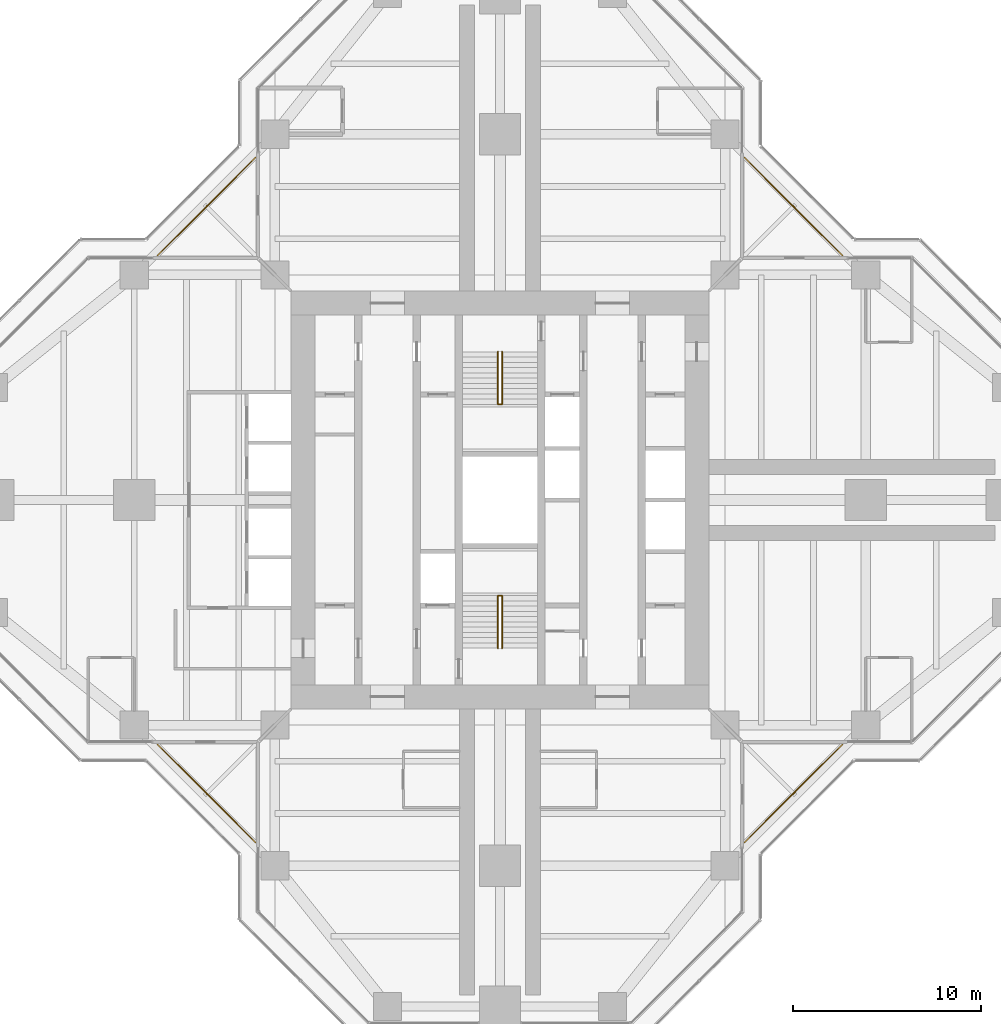
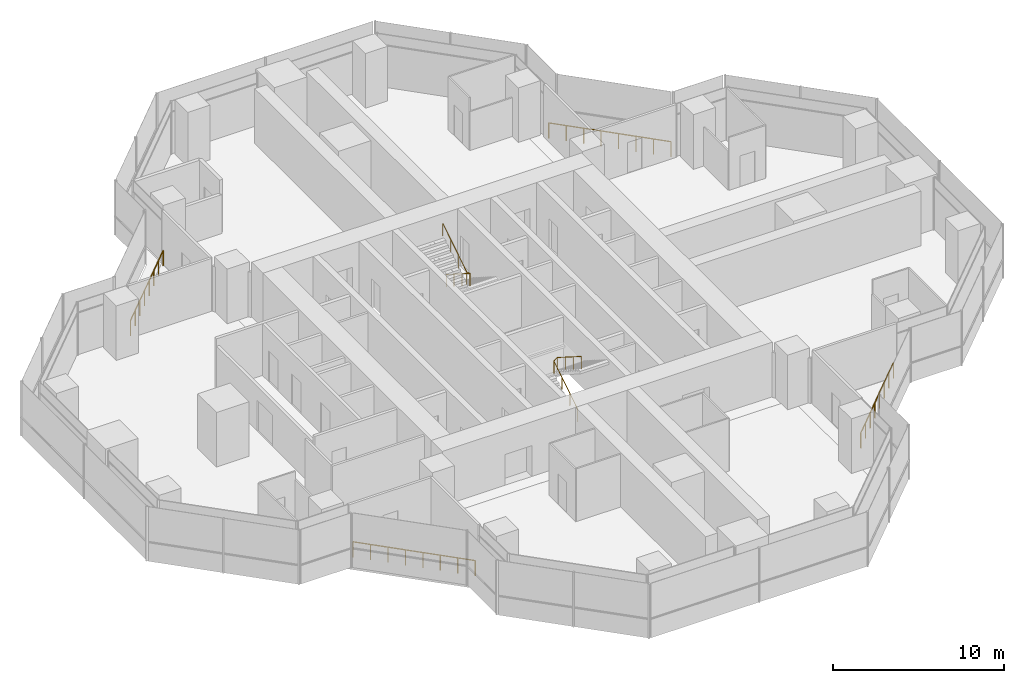
# One storey, part 17 of 17: 6 railings.
"""IFC4 building model written with IfcOpenShell, lengths in metres."""

from ifc_helpers import new_model, si_unit, direction, frame, origin, origin_2d, place, context, subcontext, project, spatial, circle, extrude, material, type_object, element, save


model = new_model("IFC4")

# Units and contexts
model_context = context("Model", 3, precision=1e-05, world=origin(), true_north=direction((0.0, 1.0)))
body_context = subcontext(model_context, "Body", "Model", "MODEL_VIEW")
ifc_project = project(units=[si_unit("LENGTHUNIT", "METRE"), si_unit("AREAUNIT", "SQUARE_METRE"), si_unit("VOLUMEUNIT", "CUBIC_METRE"), si_unit("PLANEANGLEUNIT", "RADIAN"), si_unit("MASSUNIT", "GRAM", prefix="KILO")], contexts=[model_context])

# Site, building, storey
site_placement = place(None, origin())
site = spatial("IfcSite", under=ifc_project, at=site_placement, CompositionType="ELEMENT")
building_placement = place(site_placement, origin())
building = spatial("IfcBuilding", under=site, at=building_placement, Name="Mizan Broadcast Tower", CompositionType="ELEMENT")
storey_placement = place(building_placement, frame((0.0, 0.0, 255.60009765625)))
storey = spatial("IfcBuildingStorey", under=building, at=storey_placement, Name="L60", CompositionType="ELEMENT", Elevation=255.60009765625)

# Railings
ifc_material_1 = material(Name="Stainless steel and glass guard", Category="steel")
railing_type_1 = type_object("IfcRailingType", Name="GUARD 1100", PredefinedType="GUARDRAIL", material=ifc_material_1)
railing_1_placement = place(storey_placement, frame((18.2578125, 13.030029296875, 0.0)))
element("IfcRailing", 1, at=railing_1_placement, inside=storey, type_object=railing_type_1, Name="Winter garden guard L60 E", PredefinedType="GUARDRAIL", context=body_context, shape_type="SweptSolid", body=[
    extrude(circle(Radius=0.02392578125, at=origin_2d()), frame((0.0, 0.0, 1.076171875), z_axis=(-0.707106781187, 0.707106781187, 0.0), x_axis=(-0.707106781187, -0.707106781187, 0.0)), (0.0, 0.0, 1.0), 7.393310546875),
    extrude(circle(Radius=0.02099609375, at=origin_2d()), origin(), (0.0, 0.0, 1.0), 1.052001953125),
    extrude(circle(Radius=0.02099609375, at=origin_2d()), frame((-0.746826171875, 0.746826171875, 0.0)), (0.0, 0.0, 1.0), 1.052001953125),
    extrude(circle(Radius=0.02099609375, at=origin_2d()), frame((-1.49365234375, 1.49365234375, 0.0)), (0.0, 0.0, 1.0), 1.052001953125),
    extrude(circle(Radius=0.02099609375, at=origin_2d()), frame((-2.240478515625, 2.240478515625, 0.0)), (0.0, 0.0, 1.0), 1.052001953125),
    extrude(circle(Radius=0.02099609375, at=origin_2d()), frame((-2.9873046875, 2.9873046875, 0.0)), (0.0, 0.0, 1.0), 1.052001953125),
    extrude(circle(Radius=0.02099609375, at=origin_2d()), frame((-3.734130859375, 3.734130859375, 0.0)), (0.0, 0.0, 1.0), 1.052001953125),
    extrude(circle(Radius=0.02099609375, at=origin_2d()), frame((-4.48095703125, 4.48095703125, 0.0)), (0.0, 0.0, 1.0), 1.052001953125),
    extrude(circle(Radius=0.02099609375, at=origin_2d()), frame((-5.227783203125, 5.227783203125, 0.0)), (0.0, 0.0, 1.0), 1.052001953125),
])
railing_2_placement = place(storey_placement, frame((-13.030029296875, 18.2578125, 0.0)))
element("IfcRailing", 2, at=railing_2_placement, inside=storey, type_object=railing_type_1, Name="Winter garden guard L60 N", PredefinedType="GUARDRAIL", context=body_context, shape_type="SweptSolid", body=[
    extrude(circle(Radius=0.02392578125, at=origin_2d()), frame((0.0, 0.0, 1.076171875), z_axis=(-0.707106781187, -0.707106781187, 0.0), x_axis=(0.707106781187, -0.707106781187, 0.0)), (0.0, 0.0, 1.0), 7.393310546875),
    extrude(circle(Radius=0.02099609375, at=origin_2d()), origin(), (0.0, 0.0, 1.0), 1.052001953125),
    extrude(circle(Radius=0.02099609375, at=origin_2d()), frame((-0.746826171875, -0.746826171875, 0.0)), (0.0, 0.0, 1.0), 1.052001953125),
    extrude(circle(Radius=0.02099609375, at=origin_2d()), frame((-1.49365234375, -1.49365234375, 0.0)), (0.0, 0.0, 1.0), 1.052001953125),
    extrude(circle(Radius=0.02099609375, at=origin_2d()), frame((-2.240478515625, -2.240478515625, 0.0)), (0.0, 0.0, 1.0), 1.052001953125),
    extrude(circle(Radius=0.02099609375, at=origin_2d()), frame((-2.9873046875, -2.9873046875, 0.0)), (0.0, 0.0, 1.0), 1.052001953125),
    extrude(circle(Radius=0.02099609375, at=origin_2d()), frame((-3.734130859375, -3.734130859375, 0.0)), (0.0, 0.0, 1.0), 1.052001953125),
    extrude(circle(Radius=0.02099609375, at=origin_2d()), frame((-4.48095703125, -4.48095703125, 0.0)), (0.0, 0.0, 1.0), 1.052001953125),
    extrude(circle(Radius=0.02099609375, at=origin_2d()), frame((-5.227783203125, -5.227783203125, 0.0)), (0.0, 0.0, 1.0), 1.052001953125),
])
railing_3_placement = place(storey_placement, frame((-18.2578125, -13.030029296875, 0.0)))
element("IfcRailing", 3, at=railing_3_placement, inside=storey, type_object=railing_type_1, Name="Winter garden guard L60 W", PredefinedType="GUARDRAIL", context=body_context, shape_type="SweptSolid", body=[
    extrude(circle(Radius=0.02392578125, at=origin_2d()), frame((0.0, 0.0, 1.076171875), z_axis=(0.707106781187, -0.707106781187, 0.0), x_axis=(0.707106781187, 0.707106781187, 0.0)), (0.0, 0.0, 1.0), 7.393310546875),
    extrude(circle(Radius=0.02099609375, at=origin_2d()), origin(), (0.0, 0.0, 1.0), 1.052001953125),
    extrude(circle(Radius=0.02099609375, at=origin_2d()), frame((0.746826171875, -0.746826171875, 0.0)), (0.0, 0.0, 1.0), 1.052001953125),
    extrude(circle(Radius=0.02099609375, at=origin_2d()), frame((1.49365234375, -1.49365234375, 0.0)), (0.0, 0.0, 1.0), 1.052001953125),
    extrude(circle(Radius=0.02099609375, at=origin_2d()), frame((2.240478515625, -2.240478515625, 0.0)), (0.0, 0.0, 1.0), 1.052001953125),
    extrude(circle(Radius=0.02099609375, at=origin_2d()), frame((2.9873046875, -2.9873046875, 0.0)), (0.0, 0.0, 1.0), 1.052001953125),
    extrude(circle(Radius=0.02099609375, at=origin_2d()), frame((3.734130859375, -3.734130859375, 0.0)), (0.0, 0.0, 1.0), 1.052001953125),
    extrude(circle(Radius=0.02099609375, at=origin_2d()), frame((4.48095703125, -4.48095703125, 0.0)), (0.0, 0.0, 1.0), 1.052001953125),
    extrude(circle(Radius=0.02099609375, at=origin_2d()), frame((5.227783203125, -5.227783203125, 0.0)), (0.0, 0.0, 1.0), 1.052001953125),
])
railing_4_placement = place(storey_placement, frame((13.030029296875, -18.2578125, 0.0)))
element("IfcRailing", 4, at=railing_4_placement, inside=storey, type_object=railing_type_1, Name="Winter garden guard L60 S", PredefinedType="GUARDRAIL", context=body_context, shape_type="SweptSolid", body=[
    extrude(circle(Radius=0.02392578125, at=origin_2d()), frame((0.0, 0.0, 1.076171875), z_axis=(0.707106781187, 0.707106781187, 0.0), x_axis=(-0.707106781187, 0.707106781187, 0.0)), (0.0, 0.0, 1.0), 7.393310546875),
    extrude(circle(Radius=0.02099609375, at=origin_2d()), origin(), (0.0, 0.0, 1.0), 1.052001953125),
    extrude(circle(Radius=0.02099609375, at=origin_2d()), frame((0.746826171875, 0.746826171875, 0.0)), (0.0, 0.0, 1.0), 1.052001953125),
    extrude(circle(Radius=0.02099609375, at=origin_2d()), frame((1.49365234375, 1.49365234375, 0.0)), (0.0, 0.0, 1.0), 1.052001953125),
    extrude(circle(Radius=0.02099609375, at=origin_2d()), frame((2.240478515625, 2.240478515625, 0.0)), (0.0, 0.0, 1.0), 1.052001953125),
    extrude(circle(Radius=0.02099609375, at=origin_2d()), frame((2.9873046875, 2.9873046875, 0.0)), (0.0, 0.0, 1.0), 1.052001953125),
    extrude(circle(Radius=0.02099609375, at=origin_2d()), frame((3.734130859375, 3.734130859375, 0.0)), (0.0, 0.0, 1.0), 1.052001953125),
    extrude(circle(Radius=0.02099609375, at=origin_2d()), frame((4.48095703125, 4.48095703125, 0.0)), (0.0, 0.0, 1.0), 1.052001953125),
    extrude(circle(Radius=0.02099609375, at=origin_2d()), frame((5.227783203125, 5.227783203125, 0.0)), (0.0, 0.0, 1.0), 1.052001953125),
])
ifc_material_2 = material(Name="Stainless steel", Category="steel")
railing_type_2 = type_object("IfcRailingType", Name="HANDRAIL 50", PredefinedType="HANDRAIL", material=ifc_material_2)
railing_5_placement = place(storey_placement, frame((-0.110107421875, -7.89990234375, 0.17724609375)))
element("IfcRailing", 5, at=railing_5_placement, inside=storey, type_object=railing_type_2, Name="Stair A handrail", PredefinedType="HANDRAIL", context=body_context, shape_type="SweptSolid", body=[
    extrude(circle(Radius=0.02392578125, at=origin_2d()), frame((0.0, 0.0, 0.8759765625), z_axis=(0.0, 0.844887892834, 0.53494340686), x_axis=(-1.0, 0.0, 0.0)), (0.0, 0.0, 1.0), 3.313720703125),
    extrude(circle(Radius=0.02392578125, at=origin_2d()), frame((0.0, 2.7998046875, 2.6484375), z_axis=(0.779011685263, 0.0, 0.627009405212), x_axis=(0.0, 1.0, 0.0)), (0.0, 0.0, 1.0), 0.28271484375),
    extrude(circle(Radius=0.02392578125, at=origin_2d()), frame((0.22021484375, 2.7998046875, 2.82568359375), z_axis=(0.0, -0.844887892834, 0.53494340686), x_axis=(1.0, 0.0, 0.0)), (0.0, 0.0, 1.0), 3.313720703125),
    extrude(circle(Radius=0.02099609375, at=origin_2d()), origin(), (0.0, 0.0, 1.0), 0.851806640625),
    extrude(circle(Radius=0.02099609375, at=origin_2d()), frame((0.0, 0.933349609375, 0.5908203125)), (0.0, 0.0, 1.0), 0.851806640625),
    extrude(circle(Radius=0.02099609375, at=origin_2d()), frame((0.0, 1.866455078125, 1.181884765625)), (0.0, 0.0, 1.0), 0.851806640625),
    extrude(circle(Radius=0.02099609375, at=origin_2d()), frame((0.0, 2.7998046875, 1.772705078125)), (0.0, 0.0, 1.0), 0.851806640625),
    extrude(circle(Radius=0.02099609375, at=origin_2d()), frame((0.22021484375, 2.7998046875, 1.949951171875)), (0.0, 0.0, 1.0), 0.851806640625),
    extrude(circle(Radius=0.02099609375, at=origin_2d()), frame((0.22021484375, 1.866455078125, 2.540771484375)), (0.0, 0.0, 1.0), 0.851806640625),
    extrude(circle(Radius=0.02099609375, at=origin_2d()), frame((0.22021484375, 0.933349609375, 3.1318359375)), (0.0, 0.0, 1.0), 0.851806640625),
    extrude(circle(Radius=0.02099609375, at=origin_2d()), frame((0.22021484375, 0.0, 3.72265625)), (0.0, 0.0, 1.0), 0.851806640625),
])
railing_6_placement = place(storey_placement, frame((0.110107421875, 7.89990234375, 0.17724609375)))
element("IfcRailing", 6, at=railing_6_placement, inside=storey, type_object=railing_type_2, Name="Stair B handrail", PredefinedType="HANDRAIL", context=body_context, shape_type="SweptSolid", body=[
    extrude(circle(Radius=0.02392578125, at=origin_2d()), frame((0.0, 0.0, 0.8759765625), z_axis=(0.0, -0.844887892834, 0.53494340686), x_axis=(1.0, 0.0, 0.0)), (0.0, 0.0, 1.0), 3.313720703125),
    extrude(circle(Radius=0.02392578125, at=origin_2d()), frame((0.0, -2.7998046875, 2.6484375), z_axis=(-0.779011685263, 0.0, 0.627009405212), x_axis=(0.0, -1.0, 0.0)), (0.0, 0.0, 1.0), 0.28271484375),
    extrude(circle(Radius=0.02392578125, at=origin_2d()), frame((-0.22021484375, -2.7998046875, 2.82568359375), z_axis=(0.0, 0.844887892834, 0.53494340686), x_axis=(-1.0, 0.0, 0.0)), (0.0, 0.0, 1.0), 3.313720703125),
    extrude(circle(Radius=0.02099609375, at=origin_2d()), origin(), (0.0, 0.0, 1.0), 0.851806640625),
    extrude(circle(Radius=0.02099609375, at=origin_2d()), frame((0.0, -0.933349609375, 0.5908203125)), (0.0, 0.0, 1.0), 0.851806640625),
    extrude(circle(Radius=0.02099609375, at=origin_2d()), frame((0.0, -1.866455078125, 1.181884765625)), (0.0, 0.0, 1.0), 0.851806640625),
    extrude(circle(Radius=0.02099609375, at=origin_2d()), frame((0.0, -2.7998046875, 1.772705078125)), (0.0, 0.0, 1.0), 0.851806640625),
    extrude(circle(Radius=0.02099609375, at=origin_2d()), frame((-0.22021484375, -2.7998046875, 1.949951171875)), (0.0, 0.0, 1.0), 0.851806640625),
    extrude(circle(Radius=0.02099609375, at=origin_2d()), frame((-0.22021484375, -1.866455078125, 2.540771484375)), (0.0, 0.0, 1.0), 0.851806640625),
    extrude(circle(Radius=0.02099609375, at=origin_2d()), frame((-0.22021484375, -0.933349609375, 3.1318359375)), (0.0, 0.0, 1.0), 0.851806640625),
    extrude(circle(Radius=0.02099609375, at=origin_2d()), frame((-0.22021484375, 0.0, 3.72265625)), (0.0, 0.0, 1.0), 0.851806640625),
])

save(model, "model.ifc")
